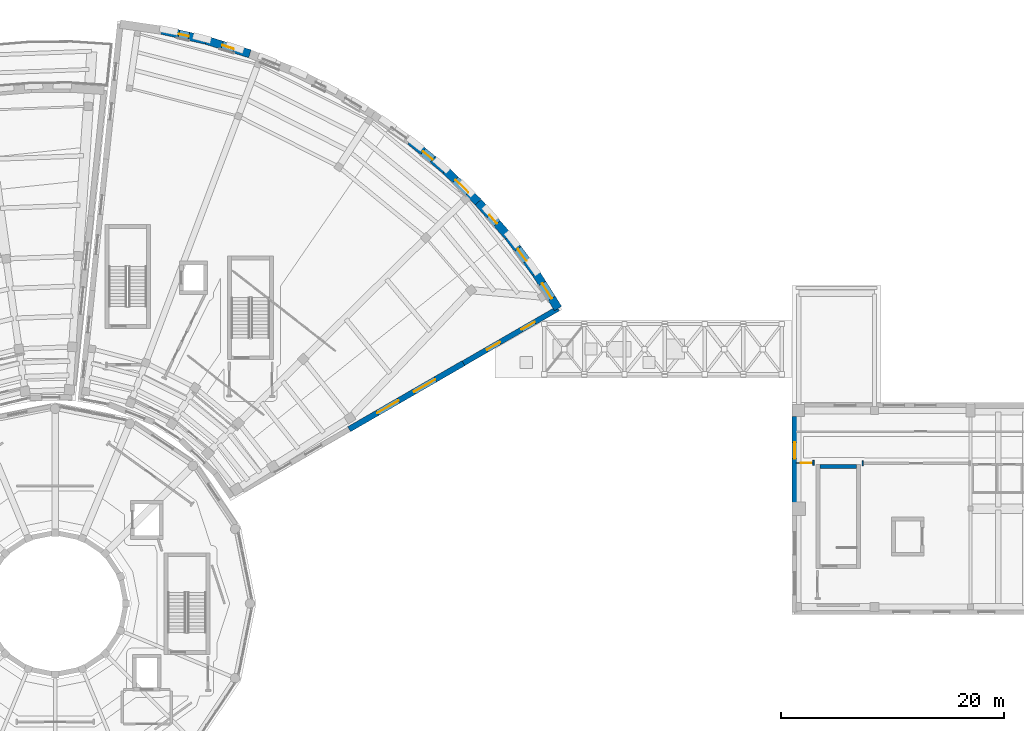
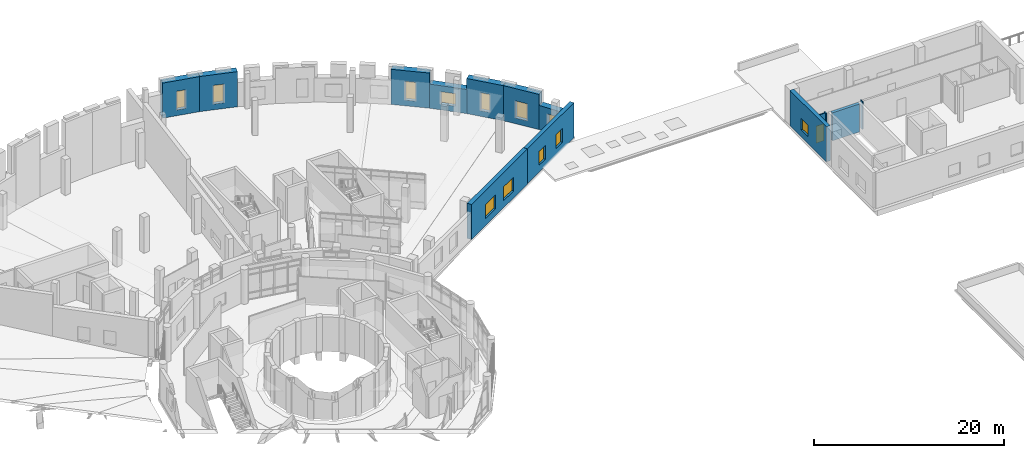
# One storey, part 38 of 49: 14 walls, 12 windows, 1 door, 13 openings.
"""IFC4 building model written with IfcOpenShell, lengths in metres."""

from ifc_helpers import new_model, si_unit, direction, frame, frame_2d, origin, place, context, subcontext, project, spatial, rectangle, extrude, material, layer, layer_set, type_object, element, fill, save


model = new_model("IFC4")

# Units and contexts
model_context = context("Model", 3, precision=1e-05, world=origin(), true_north=direction((0.0, 1.0)))
body_context = subcontext(model_context, "Body", "Model", "MODEL_VIEW")
ifc_project = project(units=[si_unit("LENGTHUNIT", "METRE"), si_unit("AREAUNIT", "SQUARE_METRE"), si_unit("VOLUMEUNIT", "CUBIC_METRE"), si_unit("PLANEANGLEUNIT", "RADIAN"), si_unit("MASSUNIT", "GRAM", prefix="KILO")], contexts=[model_context])

# Site, building, storey
site_placement = place(None, origin())
site = spatial("IfcSite", under=ifc_project, at=site_placement, CompositionType="ELEMENT")
building_placement = place(site_placement, origin())
building = spatial("IfcBuilding", under=site, at=building_placement, Name="Soyqirgoq Riverine Aquarium", CompositionType="ELEMENT")
storey_placement = place(building_placement, frame((0.0, 0.0, 15.0)))
storey = spatial("IfcBuildingStorey", under=building, at=storey_placement, Name="L04", CompositionType="ELEMENT", Elevation=15.0)

# Wall
ifc_material_1 = material(Name="Concrete C40/50", Category="concrete")
ifc_layer_1 = layer(ifc_material_1, 0.35009765625)
ifc_layer_set_1 = layer_set([ifc_layer_1], Name="Concrete C40/50")
wall_type_1 = type_object("IfcWallType", Name="CoreShearWall_350_C40", PredefinedType="SHEAR", material=ifc_layer_set_1)
wall_1_placement = place(storey_placement, frame((127.800048828125, 69.27490234375, 0.0), z_axis=(0.0, 0.0, 1.0), x_axis=(-1.0, 0.0, 0.0)))
element("IfcWall", 1, at=wall_1_placement, inside=storey, type_object=wall_type_1, Name="CORE-7 L04 Stair Core Shear Wall BACK", PredefinedType="SHEAR", context=body_context, shape_type="SweptSolid", body=[
    extrude(rectangle(XDim=3.300048828125, YDim=0.35009765625, at=frame_2d((1.64990234375, 0.0))), origin(), (0.0, 0.0, 1.0), 3.60009765625),
])

# Wall, opening, door
ifc_material_2 = material(Name="Lightweight steel-stud gypsum partition", Category="steel")
ifc_layer_2 = layer(ifc_material_2, 0.1201171875)
ifc_layer_set_2 = layer_set([ifc_layer_2], Name="Lightweight steel-stud gypsum partition")
wall_type_2 = type_object("IfcWallType", Name="PartitionWall_120_Std", PredefinedType="PARTITIONING", material=ifc_layer_set_2)
wall_2_placement = place(storey_placement, frame((122.3701171875, 69.60009765625, 0.0), z_axis=(0.0, 0.0, 1.0), x_axis=(1.0, 0.0, 0.0)))
wall_2 = element("IfcWall", 2, at=wall_2_placement, inside=storey, type_object=wall_type_2, Name="Environmental Plant Corridor Partition Wall", PredefinedType="PARTITIONING", context=body_context, shape_type="SweptSolid", body=[
    extrude(rectangle(XDim=1.579833984375, YDim=0.1201171875, at=frame_2d((0.7900390625, 0.0))), origin(), (0.0, 0.0, 1.0), 3.550048828125),
])
opening_1_placement = place(wall_2_placement, frame((0.429931640625, 0.0, 0.0)))
opening_1 = element("IfcOpeningElement", 3, at=opening_1_placement, cuts=wall_2, Name="Opening ID-06", PredefinedType="OPENING", context=body_context, shape_type="SweptSolid", body=[
    extrude(rectangle(XDim=0.949951171875, YDim=2.199951171875, at=frame_2d((0.47509765625, 1.10009765625))), frame((0.0, 0.070068359375, 0.0), z_axis=(0.0, -1.0, 0.0), x_axis=(1.0, 0.0, 0.0)), (0.0, 0.0, 1.0), 0.14013671875),
])
ifc_material_3 = material(Name="Moisture-resistant HPL washroom door", Category="wood")
door_type = type_object("IfcDoorType", Name="WCDoor_950x2200", OperationType="NOTDEFINED", PredefinedType="DOOR", material=ifc_material_3)
door_placement = place(opening_1_placement, origin())
door = element("IfcDoor", 4, at=door_placement, inside=storey, type_object=door_type, Name="IDR-V7-L04-0243 Environmental Plant Corridor Door", OperationType="SINGLE_SWING_LEFT", OverallHeight=2.199951171875, OverallWidth=0.949951171875, PredefinedType="DOOR", context=body_context, shape_type="SweptSolid", body=[
    extrude(rectangle(XDim=0.949951171875, YDim=2.199951171875, at=frame_2d((0.47509765625, 1.10009765625))), frame((0.0, 0.02490234375, 0.0), z_axis=(0.0, -1.0, 0.0), x_axis=(1.0, 0.0, 0.0)), (0.0, 0.0, 1.0), 0.050048828125),
])
fill(opening_1, door)

# Walls
wall_3_placement = place(storey_placement, frame((123.949951171875, 69.3798828125, 0.0), z_axis=(0.0, 0.0, 1.0), x_axis=(0.0, 1.0, 0.0)))
element("IfcWall", 5, at=wall_3_placement, inside=storey, type_object=wall_type_2, Name="V7 L04 Jamb Return Pier", PredefinedType="PARTITIONING", context=body_context, shape_type="SweptSolid", body=[
    extrude(rectangle(XDim=0.440185546875, YDim=0.1201171875, at=frame_2d((0.22021484375, 0.0))), origin(), (0.0, 0.0, 1.0), 3.550048828125),
])
wall_4_placement = place(storey_placement, frame((128.35009765625, 69.780029296875, 0.0), z_axis=(0.0, 0.0, 1.0), x_axis=(0.0, -1.0, 0.0)))
element("IfcWall", 6, at=wall_4_placement, inside=storey, type_object=wall_type_2, Name="V7 L04 Jamb Return Pier", PredefinedType="PARTITIONING", context=body_context, shape_type="SweptSolid", body=[
    extrude(rectangle(XDim=0.43994140625, YDim=0.1201171875, at=frame_2d((0.219970703125, 0.0))), origin(), (0.0, 0.0, 1.0), 3.550048828125),
])

# Wall, openings, windows
ifc_material_4 = material(Name="Honed travertine limestone cavity wall", Category="masonry")
ifc_layer_3 = layer(ifc_material_4, 0.47998046875)
ifc_layer_set_3 = layer_set([ifc_layer_3], Name="Honed travertine limestone cavity wall")
wall_type_3 = type_object("IfcWallType", Name="TravertineCavityWall_480", PredefinedType="SOLIDWALL", material=ifc_layer_set_3)
wall_5_placement = place(storey_placement, frame((101.057373046875, 83.4296875, 0.0), z_axis=(0.0, 0.0, 1.0), x_axis=(-0.866018329855, -0.500012252205, 0.0)))
wall_5 = element("IfcWall", 7, at=wall_5_placement, inside=storey, type_object=wall_type_3, Name="V5 L04 Exterior Travertine Wall 0318", PredefinedType="SOLIDWALL", context=body_context, shape_type="SweptSolid", body=[
    extrude(rectangle(XDim=9.796142578125, YDim=0.47998046875, at=frame_2d((4.89794921875, 0.0))), origin(), (0.0, 0.0, 1.0), 4.52001953125),
])
opening_2_placement = place(wall_5_placement, frame((2.423095703125, 0.0, 0.89990234375)))
opening_2 = element("IfcOpeningElement", 8, at=opening_2_placement, cuts=wall_5, Name="Opening WN-08", PredefinedType="OPENING", context=body_context, shape_type="SweptSolid", body=[
    extrude(rectangle(XDim=1.35009765625, YDim=1.800048828125, at=frame_2d((0.675048828125, 0.89990234375))), frame((0.0, 0.25, 0.0), z_axis=(0.0, -1.0, 0.0), x_axis=(1.0, 0.0, 0.0)), (0.0, 0.0, 1.0), 0.5),
])
opening_3_placement = place(wall_5_placement, frame((6.02294921875, 0.0, 0.89990234375)))
opening_3 = element("IfcOpeningElement", 9, at=opening_3_placement, cuts=wall_5, Name="Opening WN-08", PredefinedType="OPENING", context=body_context, shape_type="SweptSolid", body=[
    extrude(rectangle(XDim=1.35009765625, YDim=1.800048828125, at=frame_2d((0.675048828125, 0.89990234375))), frame((0.0, 0.25, 0.0), z_axis=(0.0, -1.0, 0.0), x_axis=(1.0, 0.0, 0.0)), (0.0, 0.0, 1.0), 0.5),
])
ifc_material_5 = material(Name="Thermally broken aluminium triple low-E window", Category="aluminium")
window_type_1 = type_object("IfcWindowType", Name="Win_Office_1350x1800", PartitioningType="DOUBLE_PANEL_VERTICAL", PredefinedType="WINDOW", material=ifc_material_5)
window_1_placement = place(opening_2_placement, origin())
window_1 = element("IfcWindow", 10, at=window_1_placement, inside=storey, type_object=window_type_1, Name="V5 L04 Facade Window 0262", OverallHeight=1.800048828125, OverallWidth=1.35009765625, PartitioningType="DOUBLE_PANEL_VERTICAL", PredefinedType="WINDOW", context=body_context, shape_type="SweptSolid", body=[
    extrude(rectangle(XDim=1.35009765625, YDim=1.800048828125, at=frame_2d((0.675048828125, 0.89990234375))), frame((0.0, 0.030029296875, 0.0), z_axis=(0.0, -1.0, 0.0), x_axis=(1.0, 0.0, 0.0)), (0.0, 0.0, 1.0), 0.06005859375),
])
fill(opening_2, window_1)
window_2_placement = place(opening_3_placement, origin())
window_2 = element("IfcWindow", 11, at=window_2_placement, inside=storey, type_object=window_type_1, Name="V5 L04 Facade Window 0263", OverallHeight=1.800048828125, OverallWidth=1.35009765625, PartitioningType="DOUBLE_PANEL_VERTICAL", PredefinedType="WINDOW", context=body_context, shape_type="SweptSolid", body=[
    extrude(rectangle(XDim=1.35009765625, YDim=1.800048828125, at=frame_2d((0.675048828125, 0.89990234375))), frame((0.0, 0.030029296875, 0.0), z_axis=(0.0, -1.0, 0.0), x_axis=(1.0, 0.0, 0.0)), (0.0, 0.0, 1.0), 0.06005859375),
])
fill(opening_3, window_2)

# Wall, opening, window
wall_6_placement = place(storey_placement, frame((122.25, 66.070068359375, 0.0), z_axis=(0.0, 0.0, 1.0), x_axis=(0.0, 1.0, 0.0)))
wall_6 = element("IfcWall", 12, at=wall_6_placement, inside=storey, type_object=wall_type_3, Name="V7 L04 Exterior Travertine Wall 0395", PredefinedType="SOLIDWALL", context=body_context, shape_type="SweptSolid", body=[
    extrude(rectangle(XDim=7.7099609375, YDim=0.47998046875, at=frame_2d((3.85498046875, 0.0))), origin(), (0.0, 0.0, 1.0), 4.5400390625),
])
opening_4_placement = place(wall_6_placement, frame((3.909912109375, 0.0, 0.89990234375)))
opening_4 = element("IfcOpeningElement", 13, at=opening_4_placement, cuts=wall_6, Name="Opening WN-15", PredefinedType="OPENING", context=body_context, shape_type="SweptSolid", body=[
    extrude(rectangle(XDim=1.449951171875, YDim=1.5, at=frame_2d((0.72509765625, 0.75))), frame((0.0, 0.25, 0.0), z_axis=(0.0, -1.0, 0.0), x_axis=(1.0, 0.0, 0.0)), (0.0, 0.0, 1.0), 0.5),
])
ifc_material_6 = material(Name="Thermally broken aluminium triple low-E window", Category="aluminium")
window_type_2 = type_object("IfcWindowType", Name="Win_Lab_1450x1500", PartitioningType="DOUBLE_PANEL_VERTICAL", PredefinedType="WINDOW", material=ifc_material_6)
window_3_placement = place(opening_4_placement, origin())
window_3 = element("IfcWindow", 14, at=window_3_placement, inside=storey, type_object=window_type_2, Name="V7 L04 Facade Window 0363", OverallHeight=1.5, OverallWidth=1.449951171875, PartitioningType="DOUBLE_PANEL_VERTICAL", PredefinedType="WINDOW", context=body_context, shape_type="SweptSolid", body=[
    extrude(rectangle(XDim=1.449951171875, YDim=1.5, at=frame_2d((0.72509765625, 0.75))), frame((0.0, 0.030029296875, 0.0), z_axis=(0.0, -1.0, 0.0), x_axis=(1.0, 0.0, 0.0)), (0.0, 0.0, 1.0), 0.06005859375),
])
fill(opening_4, window_3)

# Wall, openings, windows
ifc_material_7 = material(Name="Honed travertine limestone cavity wall", Category="masonry")
ifc_layer_4 = layer(ifc_material_7, 0.52001953125)
ifc_layer_set_4 = layer_set([ifc_layer_4], Name="Honed travertine limestone cavity wall")
wall_type_4 = type_object("IfcWallType", Name="TravertineCavityWall_520", PredefinedType="SOLIDWALL", material=ifc_layer_set_4)
wall_7_placement = place(storey_placement, frame((92.57373046875, 78.531494140625, 0.0), z_axis=(0.0, 0.0, 1.0), x_axis=(-0.866024649003, -0.500001307318, 0.0)))
wall_7 = element("IfcWall", 15, at=wall_7_placement, inside=storey, type_object=wall_type_4, Name="V5 L04 Exterior Travertine Wall 0319", PredefinedType="SOLIDWALL", context=body_context, shape_type="SweptSolid", body=[
    extrude(rectangle(XDim=11.82275390625, YDim=0.52001953125, at=frame_2d((5.911376953125, 0.0))), origin(), (0.0, 0.0, 1.0), 4.52001953125),
])
opening_5_placement = place(wall_7_placement, frame((2.911376953125, 0.0, 0.89990234375)))
opening_5 = element("IfcOpeningElement", 16, at=opening_5_placement, cuts=wall_7, Name="Opening WN-09", PredefinedType="OPENING", context=body_context, shape_type="SweptSolid", body=[
    extrude(rectangle(XDim=2.199951171875, YDim=1.800048828125, at=frame_2d((1.10009765625, 0.89990234375))), frame((0.0, 0.27001953125, 0.0), z_axis=(0.0, -1.0, 0.0), x_axis=(1.0, 0.0, 0.0)), (0.0, 0.0, 1.0), 0.5400390625),
])
opening_6_placement = place(wall_7_placement, frame((6.71142578125, 0.0, 0.89990234375)))
opening_6 = element("IfcOpeningElement", 17, at=opening_6_placement, cuts=wall_7, Name="Opening WN-09", PredefinedType="OPENING", context=body_context, shape_type="SweptSolid", body=[
    extrude(rectangle(XDim=2.199951171875, YDim=1.800048828125, at=frame_2d((1.10009765625, 0.89990234375))), frame((0.0, 0.27001953125, 0.0), z_axis=(0.0, -1.0, 0.0), x_axis=(1.0, 0.0, 0.0)), (0.0, 0.0, 1.0), 0.5400390625),
])
ifc_material_8 = material(Name="Thermally broken aluminium triple low-E window", Category="aluminium")
window_type_3 = type_object("IfcWindowType", Name="Win_Office_2200x1800", PartitioningType="TRIPLE_PANEL_VERTICAL", PredefinedType="WINDOW", material=ifc_material_8)
window_4_placement = place(opening_5_placement, origin())
window_4 = element("IfcWindow", 18, at=window_4_placement, inside=storey, type_object=window_type_3, Name="V5 L04 Facade Window 0264", OverallHeight=1.800048828125, OverallWidth=2.199951171875, PartitioningType="TRIPLE_PANEL_VERTICAL", PredefinedType="WINDOW", context=body_context, shape_type="SweptSolid", body=[
    extrude(rectangle(XDim=2.199951171875, YDim=1.800048828125, at=frame_2d((1.10009765625, 0.89990234375))), frame((0.0, 0.030029296875, 0.0), z_axis=(0.0, -1.0, 0.0), x_axis=(1.0, 0.0, 0.0)), (0.0, 0.0, 1.0), 0.06005859375),
])
fill(opening_5, window_4)
window_5_placement = place(opening_6_placement, origin())
window_5 = element("IfcWindow", 19, at=window_5_placement, inside=storey, type_object=window_type_3, Name="V5 L04 Facade Window 0265", OverallHeight=1.800048828125, OverallWidth=2.199951171875, PartitioningType="TRIPLE_PANEL_VERTICAL", PredefinedType="WINDOW", context=body_context, shape_type="SweptSolid", body=[
    extrude(rectangle(XDim=2.199951171875, YDim=1.800048828125, at=frame_2d((1.10009765625, 0.89990234375))), frame((0.0, 0.030029296875, 0.0), z_axis=(0.0, -1.0, 0.0), x_axis=(1.0, 0.0, 0.0)), (0.0, 0.0, 1.0), 0.06005859375),
])
fill(opening_6, window_5)

# Wall, opening, window
ifc_material_9 = material(Name="Honed travertine limestone cavity wall", Category="masonry")
ifc_layer_5 = layer(ifc_material_9, 0.75)
ifc_layer_set_5 = layer_set([ifc_layer_5], Name="Honed travertine limestone cavity wall")
wall_type_5 = type_object("IfcWallType", Name="TravertineNicheWall_750", PredefinedType="SOLIDWALL", material=ifc_layer_set_5)
wall_8_placement = place(storey_placement, frame((65.521728515625, 108.375, 0.0), z_axis=(0.0, 0.0, 1.0), x_axis=(0.975338200336, -0.220715642773, 0.0)))
wall_8 = element("IfcWall", 20, at=wall_8_placement, inside=storey, type_object=wall_type_5, Name="V5 L04 Exterior Travertine Wall 0307", PredefinedType="SOLIDWALL", context=body_context, shape_type="SweptSolid", body=[
    extrude(rectangle(XDim=4.1025390625, YDim=0.75, at=frame_2d((2.05126953125, 0.0))), origin(), (0.0, 0.0, 1.0), 4.52001953125),
])
opening_7_placement = place(wall_8_placement, frame((1.601318359375, 0.0, 0.75)))
opening_7 = element("IfcOpeningElement", 21, at=opening_7_placement, cuts=wall_8, Name="Opening WN-01", PredefinedType="OPENING", context=body_context, shape_type="SweptSolid", body=[
    extrude(rectangle(XDim=0.89990234375, YDim=2.39990234375, at=frame_2d((0.449951171875, 1.199951171875))), frame((0.0, 0.385009765625, 0.0), z_axis=(0.0, -1.0, 0.0), x_axis=(1.0, 0.0, 0.0)), (0.0, 0.0, 1.0), 0.77001953125),
])
ifc_material_10 = material(Name="Thermally broken aluminium triple low-E window", Category="aluminium")
window_type_4 = type_object("IfcWindowType", Name="Win_Niche_900x2400", PartitioningType="SINGLE_PANEL", PredefinedType="WINDOW", material=ifc_material_10)
window_6_placement = place(opening_7_placement, origin())
window_6 = element("IfcWindow", 22, at=window_6_placement, inside=storey, type_object=window_type_4, Name="V5 L04 Facade Window 0251", OverallHeight=2.39990234375, OverallWidth=0.89990234375, PartitioningType="SINGLE_PANEL", PredefinedType="WINDOW", context=body_context, shape_type="SweptSolid", body=[
    extrude(rectangle(XDim=0.89990234375, YDim=2.39990234375, at=frame_2d((0.449951171875, 1.199951171875))), frame((0.0, 0.030029296875, 0.0), z_axis=(0.0, -1.0, 0.0), x_axis=(1.0, 0.0, 0.0)), (0.0, 0.0, 1.0), 0.06005859375),
])
fill(opening_7, window_6)

wall_9_placement = place(storey_placement, frame((69.523193359375, 107.469482421875, 0.0), z_axis=(0.0, 0.0, 1.0), x_axis=(0.955025791423, -0.296522744013, 0.0)))
wall_9 = element("IfcWall", 23, at=wall_9_placement, inside=storey, type_object=wall_type_5, Name="V5 L04 Exterior Travertine Wall 0308", PredefinedType="SOLIDWALL", context=body_context, shape_type="SweptSolid", body=[
    extrude(rectangle(XDim=4.102783203125, YDim=0.75, at=frame_2d((2.05126953125, 0.0))), origin(), (0.0, 0.0, 1.0), 4.52001953125),
])
opening_8_placement = place(wall_9_placement, frame((1.50146484375, 0.0, 0.75)))
opening_8 = element("IfcOpeningElement", 24, at=opening_8_placement, cuts=wall_9, Name="Opening WN-02", PredefinedType="OPENING", context=body_context, shape_type="SweptSolid", body=[
    extrude(rectangle(XDim=1.10009765625, YDim=2.39990234375, at=frame_2d((0.550048828125, 1.199951171875))), frame((0.0, 0.385009765625, 0.0), z_axis=(0.0, -1.0, 0.0), x_axis=(1.0, 0.0, 0.0)), (0.0, 0.0, 1.0), 0.77001953125),
])
ifc_material_11 = material(Name="Thermally broken aluminium triple low-E window", Category="aluminium")
window_type_5 = type_object("IfcWindowType", Name="Win_Niche_1100x2400", PartitioningType="SINGLE_PANEL", PredefinedType="WINDOW", material=ifc_material_11)
window_7_placement = place(opening_8_placement, origin())
window_7 = element("IfcWindow", 25, at=window_7_placement, inside=storey, type_object=window_type_5, Name="V5 L04 Facade Window 0252", OverallHeight=2.39990234375, OverallWidth=1.10009765625, PartitioningType="SINGLE_PANEL", PredefinedType="WINDOW", context=body_context, shape_type="SweptSolid", body=[
    extrude(rectangle(XDim=1.10009765625, YDim=2.39990234375, at=frame_2d((0.550048828125, 1.199951171875))), frame((0.0, 0.030029296875, 0.0), z_axis=(0.0, -1.0, 0.0), x_axis=(1.0, 0.0, 0.0)), (0.0, 0.0, 1.0), 0.06005859375),
])
fill(opening_8, window_7)

wall_10_placement = place(storey_placement, frame((87.8076171875, 98.45263671875, 0.0), z_axis=(0.0, 0.0, 1.0), x_axis=(0.768825758313, -0.639458328083, 0.0)))
wall_10 = element("IfcWall", 26, at=wall_10_placement, inside=storey, type_object=wall_type_5, Name="V5 L04 Exterior Travertine Wall 0313", PredefinedType="SOLIDWALL", context=body_context, shape_type="SweptSolid", body=[
    extrude(rectangle(XDim=4.102783203125, YDim=0.75, at=frame_2d((2.05126953125, 0.0))), origin(), (0.0, 0.0, 1.0), 4.52001953125),
])
opening_9_placement = place(wall_10_placement, frame((1.501220703125, 0.0, 0.75)))
opening_9 = element("IfcOpeningElement", 27, at=opening_9_placement, cuts=wall_10, Name="Opening WN-02", PredefinedType="OPENING", context=body_context, shape_type="SweptSolid", body=[
    extrude(rectangle(XDim=1.10009765625, YDim=2.39990234375, at=frame_2d((0.550048828125, 1.199951171875))), frame((0.0, 0.385009765625, 0.0), z_axis=(0.0, -1.0, 0.0), x_axis=(1.0, 0.0, 0.0)), (0.0, 0.0, 1.0), 0.77001953125),
])
window_8_placement = place(opening_9_placement, origin())
window_8 = element("IfcWindow", 28, at=window_8_placement, inside=storey, type_object=window_type_5, Name="V5 L04 Facade Window 0257", OverallHeight=2.39990234375, OverallWidth=1.10009765625, PartitioningType="SINGLE_PANEL", PredefinedType="WINDOW", context=body_context, shape_type="SweptSolid", body=[
    extrude(rectangle(XDim=1.10009765625, YDim=2.39990234375, at=frame_2d((0.550048828125, 1.199951171875))), frame((0.0, 0.030029296875, 0.0), z_axis=(0.0, -1.0, 0.0), x_axis=(1.0, 0.0, 0.0)), (0.0, 0.0, 1.0), 0.06005859375),
])
fill(opening_9, window_8)

wall_11_placement = place(storey_placement, frame((90.9619140625, 95.8291015625, 0.0), z_axis=(0.0, 0.0, 1.0), x_axis=(0.716299749967, -0.697792711482, 0.0)))
wall_11 = element("IfcWall", 29, at=wall_11_placement, inside=storey, type_object=wall_type_5, Name="V5 L04 Exterior Travertine Wall 0314", PredefinedType="SOLIDWALL", context=body_context, shape_type="SweptSolid", body=[
    extrude(rectangle(XDim=4.1025390625, YDim=0.75, at=frame_2d((2.05126953125, 0.0))), origin(), (0.0, 0.0, 1.0), 3.110107421875),
])
opening_10_placement = place(wall_11_placement, frame((1.251220703125, 0.0, 0.75)))
opening_10 = element("IfcOpeningElement", 30, at=opening_10_placement, cuts=wall_11, Name="Opening WN-06", PredefinedType="OPENING", context=body_context, shape_type="SweptSolid", body=[
    extrude(rectangle(XDim=1.60009765625, YDim=1.60009765625, at=frame_2d((0.800048828125, 0.800048828125))), frame((0.0, 0.385009765625, 0.0), z_axis=(0.0, -1.0, 0.0), x_axis=(1.0, 0.0, 0.0)), (0.0, 0.0, 1.0), 0.77001953125),
])
ifc_material_12 = material(Name="Thermally broken aluminium triple low-E window", Category="aluminium")
window_type_6 = type_object("IfcWindowType", Name="Win_Lab_1600x1600", PartitioningType="DOUBLE_PANEL_VERTICAL", PredefinedType="WINDOW", material=ifc_material_12)
window_9_placement = place(opening_10_placement, origin())
window_9 = element("IfcWindow", 31, at=window_9_placement, inside=storey, type_object=window_type_6, Name="V5 L04 Facade Window 0258", OverallHeight=1.60009765625, OverallWidth=1.60009765625, PartitioningType="DOUBLE_PANEL_VERTICAL", PredefinedType="WINDOW", context=body_context, shape_type="SweptSolid", body=[
    extrude(rectangle(XDim=1.60009765625, YDim=1.60009765625, at=frame_2d((0.800048828125, 0.800048828125))), frame((0.0, 0.030029296875, 0.0), z_axis=(0.0, -1.0, 0.0), x_axis=(1.0, 0.0, 0.0)), (0.0, 0.0, 1.0), 0.06005859375),
])
fill(opening_10, window_9)

wall_12_placement = place(storey_placement, frame((93.900634765625, 92.96630859375, 0.0), z_axis=(0.0, 0.0, 1.0), x_axis=(0.659355212384, -0.751831566178, 0.0)))
wall_12 = element("IfcWall", 32, at=wall_12_placement, inside=storey, type_object=wall_type_5, Name="V5 L04 Exterior Travertine Wall 0315", PredefinedType="SOLIDWALL", context=body_context, shape_type="SweptSolid", body=[
    extrude(rectangle(XDim=4.1025390625, YDim=0.75, at=frame_2d((2.05126953125, 0.0))), origin(), (0.0, 0.0, 1.0), 4.52001953125),
])
opening_11_placement = place(wall_12_placement, frame((1.551513671875, 0.0, 0.75)))
opening_11 = element("IfcOpeningElement", 33, at=opening_11_placement, cuts=wall_12, Name="Opening WN-11", PredefinedType="OPENING", context=body_context, shape_type="SweptSolid", body=[
    extrude(rectangle(XDim=1.0, YDim=2.300048828125, at=frame_2d((0.5, 1.14990234375))), frame((0.0, 0.385009765625, 0.0), z_axis=(0.0, -1.0, 0.0), x_axis=(1.0, 0.0, 0.0)), (0.0, 0.0, 1.0), 0.77001953125),
])
ifc_material_13 = material(Name="Thermally broken aluminium triple low-E window", Category="aluminium")
window_type_7 = type_object("IfcWindowType", Name="Win_Niche_1000x2300", PartitioningType="SINGLE_PANEL", PredefinedType="WINDOW", material=ifc_material_13)
window_10_placement = place(opening_11_placement, origin())
window_10 = element("IfcWindow", 34, at=window_10_placement, inside=storey, type_object=window_type_7, Name="V5 L04 Facade Window 0259", OverallHeight=2.300048828125, OverallWidth=1.0, PartitioningType="SINGLE_PANEL", PredefinedType="WINDOW", context=body_context, shape_type="SweptSolid", body=[
    extrude(rectangle(XDim=1.0, YDim=2.300048828125, at=frame_2d((0.5, 1.14990234375))), frame((0.0, 0.030029296875, 0.0), z_axis=(0.0, -1.0, 0.0), x_axis=(1.0, 0.0, 0.0)), (0.0, 0.0, 1.0), 0.06005859375),
])
fill(opening_11, window_10)

wall_13_placement = place(storey_placement, frame((96.605712890625, 89.8818359375, 0.0), z_axis=(0.0, 0.0, 1.0), x_axis=(0.598294326762, -0.801276418326, 0.0)))
wall_13 = element("IfcWall", 35, at=wall_13_placement, inside=storey, type_object=wall_type_5, Name="V5 L04 Exterior Travertine Wall 0316", PredefinedType="SOLIDWALL", context=body_context, shape_type="SweptSolid", body=[
    extrude(rectangle(XDim=4.1025390625, YDim=0.75, at=frame_2d((2.05126953125, 0.0))), origin(), (0.0, 0.0, 1.0), 4.52001953125),
])
opening_12_placement = place(wall_13_placement, frame((1.4013671875, 0.0, 0.75)))
opening_12 = element("IfcOpeningElement", 36, at=opening_12_placement, cuts=wall_13, Name="Opening WN-12", PredefinedType="OPENING", context=body_context, shape_type="SweptSolid", body=[
    extrude(rectangle(XDim=1.300048828125, YDim=2.199951171875, at=frame_2d((0.64990234375, 1.10009765625))), frame((0.0, 0.385009765625, 0.0), z_axis=(0.0, -1.0, 0.0), x_axis=(1.0, 0.0, 0.0)), (0.0, 0.0, 1.0), 0.77001953125),
])
ifc_material_14 = material(Name="Thermally broken aluminium triple low-E window", Category="aluminium")
window_type_8 = type_object("IfcWindowType", Name="Win_Niche_1300x2200", PartitioningType="DOUBLE_PANEL_VERTICAL", PredefinedType="WINDOW", material=ifc_material_14)
window_11_placement = place(opening_12_placement, origin())
window_11 = element("IfcWindow", 37, at=window_11_placement, inside=storey, type_object=window_type_8, Name="V5 L04 Facade Window 0260", OverallHeight=2.199951171875, OverallWidth=1.300048828125, PartitioningType="DOUBLE_PANEL_VERTICAL", PredefinedType="WINDOW", context=body_context, shape_type="SweptSolid", body=[
    extrude(rectangle(XDim=1.300048828125, YDim=2.199951171875, at=frame_2d((0.64990234375, 1.10009765625))), frame((0.0, 0.030029296875, 0.0), z_axis=(0.0, -1.0, 0.0), x_axis=(1.0, 0.0, 0.0)), (0.0, 0.0, 1.0), 0.06005859375),
])
fill(opening_12, window_11)

wall_14_placement = place(storey_placement, frame((99.060302734375, 86.594482421875, 0.0), z_axis=(0.0, 0.0, 1.0), x_axis=(0.533659130214, -0.845699670533, 0.0)))
wall_14 = element("IfcWall", 38, at=wall_14_placement, inside=storey, type_object=wall_type_5, Name="V5 L04 Exterior Travertine Wall 0317", PredefinedType="SOLIDWALL", context=body_context, shape_type="SweptSolid", body=[
    extrude(rectangle(XDim=3.7421875, YDim=0.75, at=frame_2d((1.87109375, 0.0))), origin(), (0.0, 0.0, 1.0), 3.110107421875),
])
opening_13_placement = place(wall_14_placement, frame((1.0712890625, 0.0, 0.75)))
opening_13 = element("IfcOpeningElement", 39, at=opening_13_placement, cuts=wall_14, Name="Opening WN-06", PredefinedType="OPENING", context=body_context, shape_type="SweptSolid", body=[
    extrude(rectangle(XDim=1.60009765625, YDim=1.60009765625, at=frame_2d((0.800048828125, 0.800048828125))), frame((0.0, 0.385009765625, 0.0), z_axis=(0.0, -1.0, 0.0), x_axis=(1.0, 0.0, 0.0)), (0.0, 0.0, 1.0), 0.77001953125),
])
window_12_placement = place(opening_13_placement, origin())
window_12 = element("IfcWindow", 40, at=window_12_placement, inside=storey, type_object=window_type_6, Name="V5 L04 Facade Window 0261", OverallHeight=1.60009765625, OverallWidth=1.60009765625, PartitioningType="DOUBLE_PANEL_VERTICAL", PredefinedType="WINDOW", context=body_context, shape_type="SweptSolid", body=[
    extrude(rectangle(XDim=1.60009765625, YDim=1.60009765625, at=frame_2d((0.800048828125, 0.800048828125))), frame((0.0, 0.030029296875, 0.0), z_axis=(0.0, -1.0, 0.0), x_axis=(1.0, 0.0, 0.0)), (0.0, 0.0, 1.0), 0.06005859375),
])
fill(opening_13, window_12)

save(model, "model.ifc")
